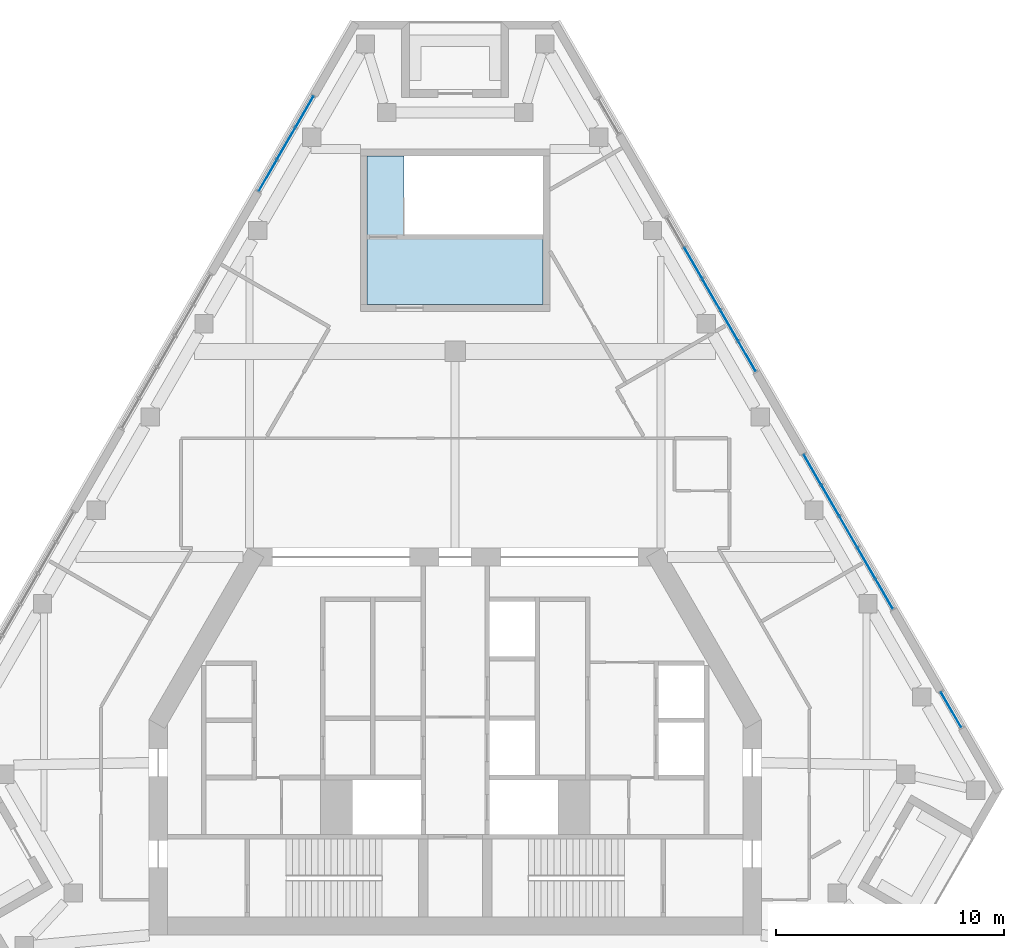
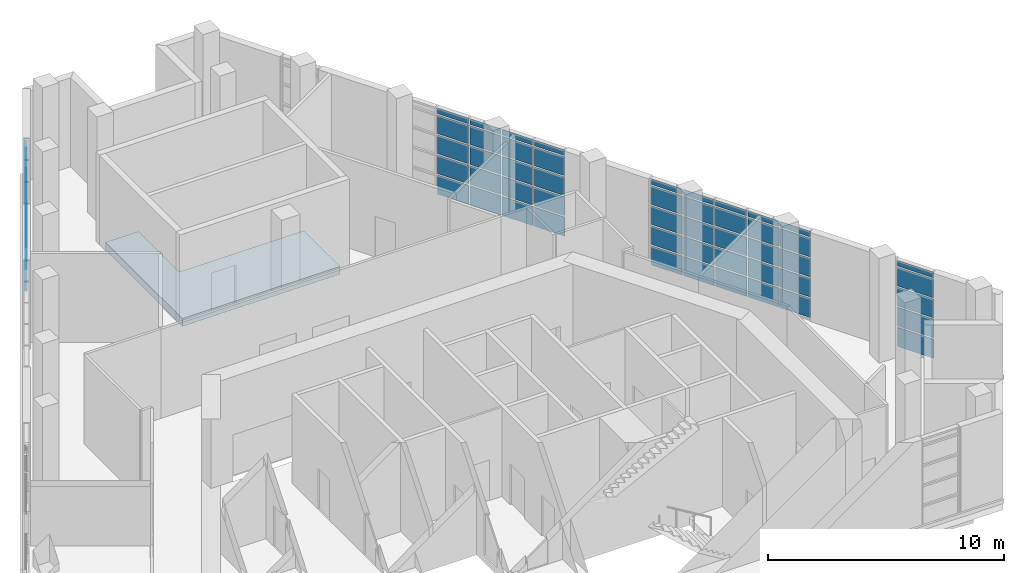
# One storey, part 8 of 13: 65 plates, 1 slab, 4 elements without a shape of their own.
"""IFC4 building model written with IfcOpenShell, lengths in metres."""

from ifc_helpers import new_model, si_unit, direction, frame, origin, origin_2d, place, context, subcontext, project, spatial, polyline, rectangle, outline, extrude, material, layer, layer_set, type_object, element, aggregate, save


model = new_model("IFC4")

# Units and contexts
model_context = context("Model", 3, precision=1e-05, world=origin(), true_north=direction((0.0, 1.0)))
body_context = subcontext(model_context, "Body", "Model", "MODEL_VIEW")
ifc_project = project(units=[si_unit("LENGTHUNIT", "METRE"), si_unit("AREAUNIT", "SQUARE_METRE"), si_unit("VOLUMEUNIT", "CUBIC_METRE"), si_unit("PLANEANGLEUNIT", "RADIAN"), si_unit("MASSUNIT", "GRAM", prefix="KILO")], contexts=[model_context])

# Site, building, storey
site_placement = place(None, origin())
site = spatial("IfcSite", under=ifc_project, at=site_placement, CompositionType="ELEMENT")
building_placement = place(site_placement, origin())
building = spatial("IfcBuilding", under=site, at=building_placement, Name="Fogline Exchange Tower", CompositionType="ELEMENT")
storey_placement = place(building_placement, frame((0.0, 0.0, 339.300048828125)))
storey = spatial("IfcBuildingStorey", under=building, at=storey_placement, Name="L77", CompositionType="ELEMENT", Elevation=339.300048828125)

# Curtain wall, plates
ifc_material_1 = material(Name="Aluminium and glass", Category="aluminium")
curtain_wall_type = type_object("IfcCurtainWallType", Name="CW5", PredefinedType="NOTDEFINED", material=ifc_material_1)
curtain_wall_1_placement = place(storey_placement, origin())
curtain_wall_1 = element("IfcCurtainWall", 1, at=curtain_wall_1_placement, inside=storey, type_object=curtain_wall_type, Name="CW5 L77 E run 1", PredefinedType="NOTDEFINED")
ifc_material_2 = material(Name="Glass", Category="glass")
ifc_layer_1 = layer(ifc_material_2, 0.033935546875)
ifc_layer_set_1 = layer_set([ifc_layer_1], Name="CW5-P")
plate_type = type_object("IfcPlateType", Name="CW5-P", PredefinedType="CURTAIN_PANEL", material=ifc_layer_set_1)
plate_1_placement = place(storey_placement, frame((21.707763671875, 11.31201171875, 0.080078125), z_axis=(0.0, 0.0, 1.0), x_axis=(-0.499999514416, 0.866025684137, 0.0)))
plate_1 = element("IfcPlate", 2, at=plate_1_placement, type_object=plate_type, Name="CW5-T25-02 panel 1.1", PredefinedType="CURTAIN_PANEL", context=body_context, shape_type="SweptSolid", body=[
    extrude(rectangle(XDim=1.7548828125, YDim=0.033935546875, at=origin_2d()), origin(), (0.0, 0.0, 1.0), 0.97998046875),
])
plate_2_placement = place(storey_placement, frame((21.707763671875, 11.31201171875, 1.14013671875), z_axis=(0.0, 0.0, 1.0), x_axis=(-0.499999514416, 0.866025684137, 0.0)))
plate_2 = element("IfcPlate", 3, at=plate_2_placement, type_object=plate_type, Name="CW5-T25-02 panel 1.2", PredefinedType="CURTAIN_PANEL", context=body_context, shape_type="SweptSolid", body=[
    extrude(rectangle(XDim=1.7548828125, YDim=0.033935546875, at=origin_2d()), origin(), (0.0, 0.0, 1.0), 0.953369140625),
])
plate_3_placement = place(storey_placement, frame((21.707763671875, 11.31201171875, 2.17333984375), z_axis=(0.0, 0.0, 1.0), x_axis=(-0.499999514416, 0.866025684137, 0.0)))
plate_3 = element("IfcPlate", 4, at=plate_3_placement, type_object=plate_type, Name="CW5-T25-02 panel 1.3", PredefinedType="CURTAIN_PANEL", context=body_context, shape_type="SweptSolid", body=[
    extrude(rectangle(XDim=1.7548828125, YDim=0.033935546875, at=origin_2d()), origin(), (0.0, 0.0, 1.0), 0.953369140625),
])
plate_4_placement = place(storey_placement, frame((21.707763671875, 11.31201171875, 3.20654296875), z_axis=(0.0, 0.0, 1.0), x_axis=(-0.499999514416, 0.866025684137, 0.0)))
plate_4 = element("IfcPlate", 5, at=plate_4_placement, type_object=plate_type, Name="CW5-T25-02 panel 1.4", PredefinedType="CURTAIN_PANEL", context=body_context, shape_type="SweptSolid", body=[
    extrude(rectangle(XDim=1.7548828125, YDim=0.033935546875, at=origin_2d()), origin(), (0.0, 0.0, 1.0), 0.953369140625),
])
plate_5_placement = place(storey_placement, frame((21.707763671875, 11.31201171875, 4.23974609375), z_axis=(0.0, 0.0, 1.0), x_axis=(-0.499999514416, 0.866025684137, 0.0)))
plate_5 = element("IfcPlate", 6, at=plate_5_placement, type_object=plate_type, Name="CW5-T25-02 panel 1.5", PredefinedType="CURTAIN_PANEL", context=body_context, shape_type="SweptSolid", body=[
    extrude(rectangle(XDim=1.7548828125, YDim=0.033935546875, at=origin_2d()), origin(), (0.0, 0.0, 1.0), 0.280029296875),
])
aggregate(curtain_wall_1, [plate_1, plate_2, plate_3, plate_4, plate_5])

curtain_wall_2_placement = place(storey_placement, origin())
curtain_wall_2 = element("IfcCurtainWall", 7, at=curtain_wall_2_placement, inside=storey, type_object=curtain_wall_type, Name="CW5 L77 E run 2", PredefinedType="NOTDEFINED")
plate_6_placement = place(storey_placement, frame((18.776611328125, 16.388671875, 0.080078125), z_axis=(0.0, 0.0, 1.0), x_axis=(-0.500000016959, 0.866025393993, 0.0)))
plate_6 = element("IfcPlate", 8, at=plate_6_placement, type_object=plate_type, Name="CW5-T25-03 panel 1.1", PredefinedType="CURTAIN_PANEL", context=body_context, shape_type="SweptSolid", body=[
    extrude(rectangle(XDim=1.4794921875, YDim=0.033935546875, at=origin_2d()), origin(), (0.0, 0.0, 1.0), 0.97998046875),
])
plate_7_placement = place(storey_placement, frame((18.776611328125, 16.388671875, 1.14013671875), z_axis=(0.0, 0.0, 1.0), x_axis=(-0.500000016959, 0.866025393993, 0.0)))
plate_7 = element("IfcPlate", 9, at=plate_7_placement, type_object=plate_type, Name="CW5-T25-03 panel 1.2", PredefinedType="CURTAIN_PANEL", context=body_context, shape_type="SweptSolid", body=[
    extrude(rectangle(XDim=1.4794921875, YDim=0.033935546875, at=origin_2d()), origin(), (0.0, 0.0, 1.0), 0.953369140625),
])
plate_8_placement = place(storey_placement, frame((18.776611328125, 16.388671875, 2.17333984375), z_axis=(0.0, 0.0, 1.0), x_axis=(-0.500000016959, 0.866025393993, 0.0)))
plate_8 = element("IfcPlate", 10, at=plate_8_placement, type_object=plate_type, Name="CW5-T25-03 panel 1.3", PredefinedType="CURTAIN_PANEL", context=body_context, shape_type="SweptSolid", body=[
    extrude(rectangle(XDim=1.4794921875, YDim=0.033935546875, at=origin_2d()), origin(), (0.0, 0.0, 1.0), 0.953369140625),
])
plate_9_placement = place(storey_placement, frame((18.776611328125, 16.388671875, 3.20654296875), z_axis=(0.0, 0.0, 1.0), x_axis=(-0.500000016959, 0.866025393993, 0.0)))
plate_9 = element("IfcPlate", 11, at=plate_9_placement, type_object=plate_type, Name="CW5-T25-03 panel 1.4", PredefinedType="CURTAIN_PANEL", context=body_context, shape_type="SweptSolid", body=[
    extrude(rectangle(XDim=1.4794921875, YDim=0.033935546875, at=origin_2d()), origin(), (0.0, 0.0, 1.0), 0.953369140625),
])
plate_10_placement = place(storey_placement, frame((18.776611328125, 16.388671875, 4.23974609375), z_axis=(0.0, 0.0, 1.0), x_axis=(-0.500000016959, 0.866025393993, 0.0)))
plate_10 = element("IfcPlate", 12, at=plate_10_placement, type_object=plate_type, Name="CW5-T25-03 panel 1.5", PredefinedType="CURTAIN_PANEL", context=body_context, shape_type="SweptSolid", body=[
    extrude(rectangle(XDim=1.4794921875, YDim=0.033935546875, at=origin_2d()), origin(), (0.0, 0.0, 1.0), 0.280029296875),
])
plate_11_placement = place(storey_placement, frame((17.996337890625, 17.740478515625, 0.080078125), z_axis=(0.0, 0.0, 1.0), x_axis=(-0.500000016959, 0.866025393993, 0.0)))
plate_11 = element("IfcPlate", 13, at=plate_11_placement, type_object=plate_type, Name="CW5-T25-03 panel 2.1", PredefinedType="CURTAIN_PANEL", context=body_context, shape_type="SweptSolid", body=[
    extrude(rectangle(XDim=1.511962890625, YDim=0.033935546875, at=origin_2d()), origin(), (0.0, 0.0, 1.0), 0.97998046875),
])
plate_12_placement = place(storey_placement, frame((17.996337890625, 17.740478515625, 1.14013671875), z_axis=(0.0, 0.0, 1.0), x_axis=(-0.500000016959, 0.866025393993, 0.0)))
plate_12 = element("IfcPlate", 14, at=plate_12_placement, type_object=plate_type, Name="CW5-T25-03 panel 2.2", PredefinedType="CURTAIN_PANEL", context=body_context, shape_type="SweptSolid", body=[
    extrude(rectangle(XDim=1.511962890625, YDim=0.033935546875, at=origin_2d()), origin(), (0.0, 0.0, 1.0), 0.953369140625),
])
plate_13_placement = place(storey_placement, frame((17.996337890625, 17.740478515625, 2.17333984375), z_axis=(0.0, 0.0, 1.0), x_axis=(-0.500000016959, 0.866025393993, 0.0)))
plate_13 = element("IfcPlate", 15, at=plate_13_placement, type_object=plate_type, Name="CW5-T25-03 panel 2.3", PredefinedType="CURTAIN_PANEL", context=body_context, shape_type="SweptSolid", body=[
    extrude(rectangle(XDim=1.511962890625, YDim=0.033935546875, at=origin_2d()), origin(), (0.0, 0.0, 1.0), 0.953369140625),
])
plate_14_placement = place(storey_placement, frame((17.996337890625, 17.740478515625, 3.20654296875), z_axis=(0.0, 0.0, 1.0), x_axis=(-0.500000016959, 0.866025393993, 0.0)))
plate_14 = element("IfcPlate", 16, at=plate_14_placement, type_object=plate_type, Name="CW5-T25-03 panel 2.4", PredefinedType="CURTAIN_PANEL", context=body_context, shape_type="SweptSolid", body=[
    extrude(rectangle(XDim=1.511962890625, YDim=0.033935546875, at=origin_2d()), origin(), (0.0, 0.0, 1.0), 0.953369140625),
])
plate_15_placement = place(storey_placement, frame((17.996337890625, 17.740478515625, 4.23974609375), z_axis=(0.0, 0.0, 1.0), x_axis=(-0.500000016959, 0.866025393993, 0.0)))
plate_15 = element("IfcPlate", 17, at=plate_15_placement, type_object=plate_type, Name="CW5-T25-03 panel 2.5", PredefinedType="CURTAIN_PANEL", context=body_context, shape_type="SweptSolid", body=[
    extrude(rectangle(XDim=1.511962890625, YDim=0.033935546875, at=origin_2d()), origin(), (0.0, 0.0, 1.0), 0.280029296875),
])
plate_16_placement = place(storey_placement, frame((17.207763671875, 19.106201171875, 0.080078125), z_axis=(0.0, 0.0, 1.0), x_axis=(-0.500000016959, 0.866025393993, 0.0)))
plate_16 = element("IfcPlate", 18, at=plate_16_placement, type_object=plate_type, Name="CW5-T25-03 panel 3.1", PredefinedType="CURTAIN_PANEL", context=body_context, shape_type="SweptSolid", body=[
    extrude(rectangle(XDim=1.511962890625, YDim=0.033935546875, at=origin_2d()), origin(), (0.0, 0.0, 1.0), 0.97998046875),
])
plate_17_placement = place(storey_placement, frame((17.207763671875, 19.106201171875, 1.14013671875), z_axis=(0.0, 0.0, 1.0), x_axis=(-0.500000016959, 0.866025393993, 0.0)))
plate_17 = element("IfcPlate", 19, at=plate_17_placement, type_object=plate_type, Name="CW5-T25-03 panel 3.2", PredefinedType="CURTAIN_PANEL", context=body_context, shape_type="SweptSolid", body=[
    extrude(rectangle(XDim=1.511962890625, YDim=0.033935546875, at=origin_2d()), origin(), (0.0, 0.0, 1.0), 0.953369140625),
])
plate_18_placement = place(storey_placement, frame((17.207763671875, 19.106201171875, 2.17333984375), z_axis=(0.0, 0.0, 1.0), x_axis=(-0.500000016959, 0.866025393993, 0.0)))
plate_18 = element("IfcPlate", 20, at=plate_18_placement, type_object=plate_type, Name="CW5-T25-03 panel 3.3", PredefinedType="CURTAIN_PANEL", context=body_context, shape_type="SweptSolid", body=[
    extrude(rectangle(XDim=1.511962890625, YDim=0.033935546875, at=origin_2d()), origin(), (0.0, 0.0, 1.0), 0.953369140625),
])
plate_19_placement = place(storey_placement, frame((17.207763671875, 19.106201171875, 3.20654296875), z_axis=(0.0, 0.0, 1.0), x_axis=(-0.500000016959, 0.866025393993, 0.0)))
plate_19 = element("IfcPlate", 21, at=plate_19_placement, type_object=plate_type, Name="CW5-T25-03 panel 3.4", PredefinedType="CURTAIN_PANEL", context=body_context, shape_type="SweptSolid", body=[
    extrude(rectangle(XDim=1.511962890625, YDim=0.033935546875, at=origin_2d()), origin(), (0.0, 0.0, 1.0), 0.953369140625),
])
plate_20_placement = place(storey_placement, frame((17.207763671875, 19.106201171875, 4.23974609375), z_axis=(0.0, 0.0, 1.0), x_axis=(-0.500000016959, 0.866025393993, 0.0)))
plate_20 = element("IfcPlate", 22, at=plate_20_placement, type_object=plate_type, Name="CW5-T25-03 panel 3.5", PredefinedType="CURTAIN_PANEL", context=body_context, shape_type="SweptSolid", body=[
    extrude(rectangle(XDim=1.511962890625, YDim=0.033935546875, at=origin_2d()), origin(), (0.0, 0.0, 1.0), 0.280029296875),
])
plate_21_placement = place(storey_placement, frame((16.419189453125, 20.471923828125, 0.080078125), z_axis=(0.0, 0.0, 1.0), x_axis=(-0.500000016959, 0.866025393993, 0.0)))
plate_21 = element("IfcPlate", 23, at=plate_21_placement, type_object=plate_type, Name="CW5-T25-03 panel 4.1", PredefinedType="CURTAIN_PANEL", context=body_context, shape_type="SweptSolid", body=[
    extrude(rectangle(XDim=1.511962890625, YDim=0.033935546875, at=origin_2d()), origin(), (0.0, 0.0, 1.0), 0.97998046875),
])
plate_22_placement = place(storey_placement, frame((16.419189453125, 20.471923828125, 1.14013671875), z_axis=(0.0, 0.0, 1.0), x_axis=(-0.500000016959, 0.866025393993, 0.0)))
plate_22 = element("IfcPlate", 24, at=plate_22_placement, type_object=plate_type, Name="CW5-T25-03 panel 4.2", PredefinedType="CURTAIN_PANEL", context=body_context, shape_type="SweptSolid", body=[
    extrude(rectangle(XDim=1.511962890625, YDim=0.033935546875, at=origin_2d()), origin(), (0.0, 0.0, 1.0), 0.953369140625),
])
plate_23_placement = place(storey_placement, frame((16.419189453125, 20.471923828125, 2.17333984375), z_axis=(0.0, 0.0, 1.0), x_axis=(-0.500000016959, 0.866025393993, 0.0)))
plate_23 = element("IfcPlate", 25, at=plate_23_placement, type_object=plate_type, Name="CW5-T25-03 panel 4.3", PredefinedType="CURTAIN_PANEL", context=body_context, shape_type="SweptSolid", body=[
    extrude(rectangle(XDim=1.511962890625, YDim=0.033935546875, at=origin_2d()), origin(), (0.0, 0.0, 1.0), 0.953369140625),
])
plate_24_placement = place(storey_placement, frame((16.419189453125, 20.471923828125, 3.20654296875), z_axis=(0.0, 0.0, 1.0), x_axis=(-0.500000016959, 0.866025393993, 0.0)))
plate_24 = element("IfcPlate", 26, at=plate_24_placement, type_object=plate_type, Name="CW5-T25-03 panel 4.4", PredefinedType="CURTAIN_PANEL", context=body_context, shape_type="SweptSolid", body=[
    extrude(rectangle(XDim=1.511962890625, YDim=0.033935546875, at=origin_2d()), origin(), (0.0, 0.0, 1.0), 0.953369140625),
])
plate_25_placement = place(storey_placement, frame((16.419189453125, 20.471923828125, 4.23974609375), z_axis=(0.0, 0.0, 1.0), x_axis=(-0.500000016959, 0.866025393993, 0.0)))
plate_25 = element("IfcPlate", 27, at=plate_25_placement, type_object=plate_type, Name="CW5-T25-03 panel 4.5", PredefinedType="CURTAIN_PANEL", context=body_context, shape_type="SweptSolid", body=[
    extrude(rectangle(XDim=1.511962890625, YDim=0.033935546875, at=origin_2d()), origin(), (0.0, 0.0, 1.0), 0.280029296875),
])
plate_26_placement = place(storey_placement, frame((15.638916015625, 21.823486328125, 0.080078125), z_axis=(0.0, 0.0, 1.0), x_axis=(-0.500000016959, 0.866025393993, 0.0)))
plate_26 = element("IfcPlate", 28, at=plate_26_placement, type_object=plate_type, Name="CW5-T25-03 panel 5.1", PredefinedType="CURTAIN_PANEL", context=body_context, shape_type="SweptSolid", body=[
    extrude(rectangle(XDim=1.4794921875, YDim=0.033935546875, at=origin_2d()), origin(), (0.0, 0.0, 1.0), 0.97998046875),
])
plate_27_placement = place(storey_placement, frame((15.638916015625, 21.823486328125, 1.14013671875), z_axis=(0.0, 0.0, 1.0), x_axis=(-0.500000016959, 0.866025393993, 0.0)))
plate_27 = element("IfcPlate", 29, at=plate_27_placement, type_object=plate_type, Name="CW5-T25-03 panel 5.2", PredefinedType="CURTAIN_PANEL", context=body_context, shape_type="SweptSolid", body=[
    extrude(rectangle(XDim=1.4794921875, YDim=0.033935546875, at=origin_2d()), origin(), (0.0, 0.0, 1.0), 0.953369140625),
])
plate_28_placement = place(storey_placement, frame((15.638916015625, 21.823486328125, 2.17333984375), z_axis=(0.0, 0.0, 1.0), x_axis=(-0.500000016959, 0.866025393993, 0.0)))
plate_28 = element("IfcPlate", 30, at=plate_28_placement, type_object=plate_type, Name="CW5-T25-03 panel 5.3", PredefinedType="CURTAIN_PANEL", context=body_context, shape_type="SweptSolid", body=[
    extrude(rectangle(XDim=1.4794921875, YDim=0.033935546875, at=origin_2d()), origin(), (0.0, 0.0, 1.0), 0.953369140625),
])
plate_29_placement = place(storey_placement, frame((15.638916015625, 21.823486328125, 3.20654296875), z_axis=(0.0, 0.0, 1.0), x_axis=(-0.500000016959, 0.866025393993, 0.0)))
plate_29 = element("IfcPlate", 31, at=plate_29_placement, type_object=plate_type, Name="CW5-T25-03 panel 5.4", PredefinedType="CURTAIN_PANEL", context=body_context, shape_type="SweptSolid", body=[
    extrude(rectangle(XDim=1.4794921875, YDim=0.033935546875, at=origin_2d()), origin(), (0.0, 0.0, 1.0), 0.953369140625),
])
plate_30_placement = place(storey_placement, frame((15.638916015625, 21.823486328125, 4.23974609375), z_axis=(0.0, 0.0, 1.0), x_axis=(-0.500000016959, 0.866025393993, 0.0)))
plate_30 = element("IfcPlate", 32, at=plate_30_placement, type_object=plate_type, Name="CW5-T25-03 panel 5.5", PredefinedType="CURTAIN_PANEL", context=body_context, shape_type="SweptSolid", body=[
    extrude(rectangle(XDim=1.4794921875, YDim=0.033935546875, at=origin_2d()), origin(), (0.0, 0.0, 1.0), 0.280029296875),
])
aggregate(curtain_wall_2, [plate_6, plate_7, plate_8, plate_9, plate_10, plate_11, plate_12, plate_13, plate_14, plate_15, plate_16, plate_17, plate_18, plate_19, plate_20, plate_21, plate_22, plate_23, plate_24, plate_25, plate_26, plate_27, plate_28, plate_29, plate_30])

curtain_wall_3_placement = place(storey_placement, origin())
curtain_wall_3 = element("IfcCurtainWall", 33, at=curtain_wall_3_placement, inside=storey, type_object=curtain_wall_type, Name="CW5 L77 E run 3", PredefinedType="NOTDEFINED")
plate_31_placement = place(storey_placement, frame((12.776611328125, 26.781005859375, 0.080078125), z_axis=(0.0, 0.0, 1.0), x_axis=(-0.500000016959, 0.866025393993, 0.0)))
plate_31 = element("IfcPlate", 34, at=plate_31_placement, type_object=plate_type, Name="CW5-T25-04 panel 1.1", PredefinedType="CURTAIN_PANEL", context=body_context, shape_type="SweptSolid", body=[
    extrude(rectangle(XDim=1.4794921875, YDim=0.033935546875, at=origin_2d()), origin(), (0.0, 0.0, 1.0), 0.97998046875),
])
plate_32_placement = place(storey_placement, frame((12.776611328125, 26.781005859375, 1.14013671875), z_axis=(0.0, 0.0, 1.0), x_axis=(-0.500000016959, 0.866025393993, 0.0)))
plate_32 = element("IfcPlate", 35, at=plate_32_placement, type_object=plate_type, Name="CW5-T25-04 panel 1.2", PredefinedType="CURTAIN_PANEL", context=body_context, shape_type="SweptSolid", body=[
    extrude(rectangle(XDim=1.4794921875, YDim=0.033935546875, at=origin_2d()), origin(), (0.0, 0.0, 1.0), 0.953369140625),
])
plate_33_placement = place(storey_placement, frame((12.776611328125, 26.781005859375, 2.17333984375), z_axis=(0.0, 0.0, 1.0), x_axis=(-0.500000016959, 0.866025393993, 0.0)))
plate_33 = element("IfcPlate", 36, at=plate_33_placement, type_object=plate_type, Name="CW5-T25-04 panel 1.3", PredefinedType="CURTAIN_PANEL", context=body_context, shape_type="SweptSolid", body=[
    extrude(rectangle(XDim=1.4794921875, YDim=0.033935546875, at=origin_2d()), origin(), (0.0, 0.0, 1.0), 0.953369140625),
])
plate_34_placement = place(storey_placement, frame((12.776611328125, 26.781005859375, 3.20654296875), z_axis=(0.0, 0.0, 1.0), x_axis=(-0.500000016959, 0.866025393993, 0.0)))
plate_34 = element("IfcPlate", 37, at=plate_34_placement, type_object=plate_type, Name="CW5-T25-04 panel 1.4", PredefinedType="CURTAIN_PANEL", context=body_context, shape_type="SweptSolid", body=[
    extrude(rectangle(XDim=1.4794921875, YDim=0.033935546875, at=origin_2d()), origin(), (0.0, 0.0, 1.0), 0.953369140625),
])
plate_35_placement = place(storey_placement, frame((12.776611328125, 26.781005859375, 4.23974609375), z_axis=(0.0, 0.0, 1.0), x_axis=(-0.500000016959, 0.866025393993, 0.0)))
plate_35 = element("IfcPlate", 38, at=plate_35_placement, type_object=plate_type, Name="CW5-T25-04 panel 1.5", PredefinedType="CURTAIN_PANEL", context=body_context, shape_type="SweptSolid", body=[
    extrude(rectangle(XDim=1.4794921875, YDim=0.033935546875, at=origin_2d()), origin(), (0.0, 0.0, 1.0), 0.280029296875),
])
plate_36_placement = place(storey_placement, frame((11.996337890625, 28.1328125, 0.080078125), z_axis=(0.0, 0.0, 1.0), x_axis=(-0.500000016959, 0.866025393993, 0.0)))
plate_36 = element("IfcPlate", 39, at=plate_36_placement, type_object=plate_type, Name="CW5-T25-04 panel 2.1", PredefinedType="CURTAIN_PANEL", context=body_context, shape_type="SweptSolid", body=[
    extrude(rectangle(XDim=1.511962890625, YDim=0.033935546875, at=origin_2d()), origin(), (0.0, 0.0, 1.0), 0.97998046875),
])
plate_37_placement = place(storey_placement, frame((11.996337890625, 28.1328125, 1.14013671875), z_axis=(0.0, 0.0, 1.0), x_axis=(-0.500000016959, 0.866025393993, 0.0)))
plate_37 = element("IfcPlate", 40, at=plate_37_placement, type_object=plate_type, Name="CW5-T25-04 panel 2.2", PredefinedType="CURTAIN_PANEL", context=body_context, shape_type="SweptSolid", body=[
    extrude(rectangle(XDim=1.511962890625, YDim=0.033935546875, at=origin_2d()), origin(), (0.0, 0.0, 1.0), 0.953369140625),
])
plate_38_placement = place(storey_placement, frame((11.996337890625, 28.1328125, 2.17333984375), z_axis=(0.0, 0.0, 1.0), x_axis=(-0.500000016959, 0.866025393993, 0.0)))
plate_38 = element("IfcPlate", 41, at=plate_38_placement, type_object=plate_type, Name="CW5-T25-04 panel 2.3", PredefinedType="CURTAIN_PANEL", context=body_context, shape_type="SweptSolid", body=[
    extrude(rectangle(XDim=1.511962890625, YDim=0.033935546875, at=origin_2d()), origin(), (0.0, 0.0, 1.0), 0.953369140625),
])
plate_39_placement = place(storey_placement, frame((11.996337890625, 28.1328125, 3.20654296875), z_axis=(0.0, 0.0, 1.0), x_axis=(-0.500000016959, 0.866025393993, 0.0)))
plate_39 = element("IfcPlate", 42, at=plate_39_placement, type_object=plate_type, Name="CW5-T25-04 panel 2.4", PredefinedType="CURTAIN_PANEL", context=body_context, shape_type="SweptSolid", body=[
    extrude(rectangle(XDim=1.511962890625, YDim=0.033935546875, at=origin_2d()), origin(), (0.0, 0.0, 1.0), 0.953369140625),
])
plate_40_placement = place(storey_placement, frame((11.996337890625, 28.1328125, 4.23974609375), z_axis=(0.0, 0.0, 1.0), x_axis=(-0.500000016959, 0.866025393993, 0.0)))
plate_40 = element("IfcPlate", 43, at=plate_40_placement, type_object=plate_type, Name="CW5-T25-04 panel 2.5", PredefinedType="CURTAIN_PANEL", context=body_context, shape_type="SweptSolid", body=[
    extrude(rectangle(XDim=1.511962890625, YDim=0.033935546875, at=origin_2d()), origin(), (0.0, 0.0, 1.0), 0.280029296875),
])
plate_41_placement = place(storey_placement, frame((11.207763671875, 29.49853515625, 0.080078125), z_axis=(0.0, 0.0, 1.0), x_axis=(-0.500000016959, 0.866025393993, 0.0)))
plate_41 = element("IfcPlate", 44, at=plate_41_placement, type_object=plate_type, Name="CW5-T25-04 panel 3.1", PredefinedType="CURTAIN_PANEL", context=body_context, shape_type="SweptSolid", body=[
    extrude(rectangle(XDim=1.511962890625, YDim=0.033935546875, at=origin_2d()), origin(), (0.0, 0.0, 1.0), 0.97998046875),
])
plate_42_placement = place(storey_placement, frame((11.207763671875, 29.49853515625, 1.14013671875), z_axis=(0.0, 0.0, 1.0), x_axis=(-0.500000016959, 0.866025393993, 0.0)))
plate_42 = element("IfcPlate", 45, at=plate_42_placement, type_object=plate_type, Name="CW5-T25-04 panel 3.2", PredefinedType="CURTAIN_PANEL", context=body_context, shape_type="SweptSolid", body=[
    extrude(rectangle(XDim=1.511962890625, YDim=0.033935546875, at=origin_2d()), origin(), (0.0, 0.0, 1.0), 0.953369140625),
])
plate_43_placement = place(storey_placement, frame((11.207763671875, 29.49853515625, 2.17333984375), z_axis=(0.0, 0.0, 1.0), x_axis=(-0.500000016959, 0.866025393993, 0.0)))
plate_43 = element("IfcPlate", 46, at=plate_43_placement, type_object=plate_type, Name="CW5-T25-04 panel 3.3", PredefinedType="CURTAIN_PANEL", context=body_context, shape_type="SweptSolid", body=[
    extrude(rectangle(XDim=1.511962890625, YDim=0.033935546875, at=origin_2d()), origin(), (0.0, 0.0, 1.0), 0.953369140625),
])
plate_44_placement = place(storey_placement, frame((11.207763671875, 29.49853515625, 3.20654296875), z_axis=(0.0, 0.0, 1.0), x_axis=(-0.500000016959, 0.866025393993, 0.0)))
plate_44 = element("IfcPlate", 47, at=plate_44_placement, type_object=plate_type, Name="CW5-T25-04 panel 3.4", PredefinedType="CURTAIN_PANEL", context=body_context, shape_type="SweptSolid", body=[
    extrude(rectangle(XDim=1.511962890625, YDim=0.033935546875, at=origin_2d()), origin(), (0.0, 0.0, 1.0), 0.953369140625),
])
plate_45_placement = place(storey_placement, frame((11.207763671875, 29.49853515625, 4.23974609375), z_axis=(0.0, 0.0, 1.0), x_axis=(-0.500000016959, 0.866025393993, 0.0)))
plate_45 = element("IfcPlate", 48, at=plate_45_placement, type_object=plate_type, Name="CW5-T25-04 panel 3.5", PredefinedType="CURTAIN_PANEL", context=body_context, shape_type="SweptSolid", body=[
    extrude(rectangle(XDim=1.511962890625, YDim=0.033935546875, at=origin_2d()), origin(), (0.0, 0.0, 1.0), 0.280029296875),
])
plate_46_placement = place(storey_placement, frame((10.419189453125, 30.8642578125, 0.080078125), z_axis=(0.0, 0.0, 1.0), x_axis=(-0.500000016959, 0.866025393993, 0.0)))
plate_46 = element("IfcPlate", 49, at=plate_46_placement, type_object=plate_type, Name="CW5-T25-04 panel 4.1", PredefinedType="CURTAIN_PANEL", context=body_context, shape_type="SweptSolid", body=[
    extrude(rectangle(XDim=1.511962890625, YDim=0.033935546875, at=origin_2d()), origin(), (0.0, 0.0, 1.0), 0.97998046875),
])
plate_47_placement = place(storey_placement, frame((10.419189453125, 30.8642578125, 1.14013671875), z_axis=(0.0, 0.0, 1.0), x_axis=(-0.500000016959, 0.866025393993, 0.0)))
plate_47 = element("IfcPlate", 50, at=plate_47_placement, type_object=plate_type, Name="CW5-T25-04 panel 4.2", PredefinedType="CURTAIN_PANEL", context=body_context, shape_type="SweptSolid", body=[
    extrude(rectangle(XDim=1.511962890625, YDim=0.033935546875, at=origin_2d()), origin(), (0.0, 0.0, 1.0), 0.953369140625),
])
plate_48_placement = place(storey_placement, frame((10.419189453125, 30.8642578125, 2.17333984375), z_axis=(0.0, 0.0, 1.0), x_axis=(-0.500000016959, 0.866025393993, 0.0)))
plate_48 = element("IfcPlate", 51, at=plate_48_placement, type_object=plate_type, Name="CW5-T25-04 panel 4.3", PredefinedType="CURTAIN_PANEL", context=body_context, shape_type="SweptSolid", body=[
    extrude(rectangle(XDim=1.511962890625, YDim=0.033935546875, at=origin_2d()), origin(), (0.0, 0.0, 1.0), 0.953369140625),
])
plate_49_placement = place(storey_placement, frame((10.419189453125, 30.8642578125, 3.20654296875), z_axis=(0.0, 0.0, 1.0), x_axis=(-0.500000016959, 0.866025393993, 0.0)))
plate_49 = element("IfcPlate", 52, at=plate_49_placement, type_object=plate_type, Name="CW5-T25-04 panel 4.4", PredefinedType="CURTAIN_PANEL", context=body_context, shape_type="SweptSolid", body=[
    extrude(rectangle(XDim=1.511962890625, YDim=0.033935546875, at=origin_2d()), origin(), (0.0, 0.0, 1.0), 0.953369140625),
])
plate_50_placement = place(storey_placement, frame((10.419189453125, 30.8642578125, 4.23974609375), z_axis=(0.0, 0.0, 1.0), x_axis=(-0.500000016959, 0.866025393993, 0.0)))
plate_50 = element("IfcPlate", 53, at=plate_50_placement, type_object=plate_type, Name="CW5-T25-04 panel 4.5", PredefinedType="CURTAIN_PANEL", context=body_context, shape_type="SweptSolid", body=[
    extrude(rectangle(XDim=1.511962890625, YDim=0.033935546875, at=origin_2d()), origin(), (0.0, 0.0, 1.0), 0.280029296875),
])
aggregate(curtain_wall_3, [plate_31, plate_32, plate_33, plate_34, plate_35, plate_36, plate_37, plate_38, plate_39, plate_40, plate_41, plate_42, plate_43, plate_44, plate_45, plate_46, plate_47, plate_48, plate_49, plate_50])

curtain_wall_4_placement = place(storey_placement, origin())
curtain_wall_4 = element("IfcCurtainWall", 54, at=curtain_wall_4_placement, inside=storey, type_object=curtain_wall_type, Name="CW5 L77 W run 1", PredefinedType="NOTDEFINED")
plate_51_placement = place(storey_placement, frame((-6.59423828125, 37.4892578125, 0.080078125), z_axis=(0.0, 0.0, 1.0), x_axis=(-0.500000363213, -0.866025194083, 0.0)))
plate_51 = element("IfcPlate", 55, at=plate_51_placement, type_object=plate_type, Name="CW5-T25-06 panel 1.1", PredefinedType="CURTAIN_PANEL", context=body_context, shape_type="SweptSolid", body=[
    extrude(rectangle(XDim=1.53076171875, YDim=0.033935546875, at=origin_2d()), origin(), (0.0, 0.0, 1.0), 0.97998046875),
])
plate_52_placement = place(storey_placement, frame((-6.59423828125, 37.4892578125, 1.14013671875), z_axis=(0.0, 0.0, 1.0), x_axis=(-0.500000363213, -0.866025194083, 0.0)))
plate_52 = element("IfcPlate", 56, at=plate_52_placement, type_object=plate_type, Name="CW5-T25-06 panel 1.2", PredefinedType="CURTAIN_PANEL", context=body_context, shape_type="SweptSolid", body=[
    extrude(rectangle(XDim=1.53076171875, YDim=0.033935546875, at=origin_2d()), origin(), (0.0, 0.0, 1.0), 0.953369140625),
])
plate_53_placement = place(storey_placement, frame((-6.59423828125, 37.4892578125, 2.17333984375), z_axis=(0.0, 0.0, 1.0), x_axis=(-0.500000363213, -0.866025194083, 0.0)))
plate_53 = element("IfcPlate", 57, at=plate_53_placement, type_object=plate_type, Name="CW5-T25-06 panel 1.3", PredefinedType="CURTAIN_PANEL", context=body_context, shape_type="SweptSolid", body=[
    extrude(rectangle(XDim=1.53076171875, YDim=0.033935546875, at=origin_2d()), origin(), (0.0, 0.0, 1.0), 0.953369140625),
])
plate_54_placement = place(storey_placement, frame((-6.59423828125, 37.4892578125, 3.20654296875), z_axis=(0.0, 0.0, 1.0), x_axis=(-0.500000363213, -0.866025194083, 0.0)))
plate_54 = element("IfcPlate", 58, at=plate_54_placement, type_object=plate_type, Name="CW5-T25-06 panel 1.4", PredefinedType="CURTAIN_PANEL", context=body_context, shape_type="SweptSolid", body=[
    extrude(rectangle(XDim=1.53076171875, YDim=0.033935546875, at=origin_2d()), origin(), (0.0, 0.0, 1.0), 0.953369140625),
])
plate_55_placement = place(storey_placement, frame((-6.59423828125, 37.4892578125, 4.23974609375), z_axis=(0.0, 0.0, 1.0), x_axis=(-0.500000363213, -0.866025194083, 0.0)))
plate_55 = element("IfcPlate", 59, at=plate_55_placement, type_object=plate_type, Name="CW5-T25-06 panel 1.5", PredefinedType="CURTAIN_PANEL", context=body_context, shape_type="SweptSolid", body=[
    extrude(rectangle(XDim=1.53076171875, YDim=0.033935546875, at=origin_2d()), origin(), (0.0, 0.0, 1.0), 0.280029296875),
])
plate_56_placement = place(storey_placement, frame((-7.400390625, 36.09326171875, 0.080078125), z_axis=(0.0, 0.0, 1.0), x_axis=(-0.500000363213, -0.866025194083, 0.0)))
plate_56 = element("IfcPlate", 60, at=plate_56_placement, type_object=plate_type, Name="CW5-T25-06 panel 2.1", PredefinedType="CURTAIN_PANEL", context=body_context, shape_type="SweptSolid", body=[
    extrude(rectangle(XDim=1.563232421875, YDim=0.033935546875, at=origin_2d()), origin(), (0.0, 0.0, 1.0), 0.97998046875),
])
plate_57_placement = place(storey_placement, frame((-7.400390625, 36.09326171875, 1.14013671875), z_axis=(0.0, 0.0, 1.0), x_axis=(-0.500000363213, -0.866025194083, 0.0)))
plate_57 = element("IfcPlate", 61, at=plate_57_placement, type_object=plate_type, Name="CW5-T25-06 panel 2.2", PredefinedType="CURTAIN_PANEL", context=body_context, shape_type="SweptSolid", body=[
    extrude(rectangle(XDim=1.563232421875, YDim=0.033935546875, at=origin_2d()), origin(), (0.0, 0.0, 1.0), 0.953369140625),
])
plate_58_placement = place(storey_placement, frame((-7.400390625, 36.09326171875, 2.17333984375), z_axis=(0.0, 0.0, 1.0), x_axis=(-0.500000363213, -0.866025194083, 0.0)))
plate_58 = element("IfcPlate", 62, at=plate_58_placement, type_object=plate_type, Name="CW5-T25-06 panel 2.3", PredefinedType="CURTAIN_PANEL", context=body_context, shape_type="SweptSolid", body=[
    extrude(rectangle(XDim=1.563232421875, YDim=0.033935546875, at=origin_2d()), origin(), (0.0, 0.0, 1.0), 0.953369140625),
])
plate_59_placement = place(storey_placement, frame((-7.400390625, 36.09326171875, 3.20654296875), z_axis=(0.0, 0.0, 1.0), x_axis=(-0.500000363213, -0.866025194083, 0.0)))
plate_59 = element("IfcPlate", 63, at=plate_59_placement, type_object=plate_type, Name="CW5-T25-06 panel 2.4", PredefinedType="CURTAIN_PANEL", context=body_context, shape_type="SweptSolid", body=[
    extrude(rectangle(XDim=1.563232421875, YDim=0.033935546875, at=origin_2d()), origin(), (0.0, 0.0, 1.0), 0.953369140625),
])
plate_60_placement = place(storey_placement, frame((-7.400390625, 36.09326171875, 4.23974609375), z_axis=(0.0, 0.0, 1.0), x_axis=(-0.500000363213, -0.866025194083, 0.0)))
plate_60 = element("IfcPlate", 64, at=plate_60_placement, type_object=plate_type, Name="CW5-T25-06 panel 2.5", PredefinedType="CURTAIN_PANEL", context=body_context, shape_type="SweptSolid", body=[
    extrude(rectangle(XDim=1.563232421875, YDim=0.033935546875, at=origin_2d()), origin(), (0.0, 0.0, 1.0), 0.280029296875),
])
plate_61_placement = place(storey_placement, frame((-8.206298828125, 34.697021484375, 0.080078125), z_axis=(0.0, 0.0, 1.0), x_axis=(-0.500000363213, -0.866025194083, 0.0)))
plate_61 = element("IfcPlate", 65, at=plate_61_placement, type_object=plate_type, Name="CW5-T25-06 panel 3.1", PredefinedType="CURTAIN_PANEL", context=body_context, shape_type="SweptSolid", body=[
    extrude(rectangle(XDim=1.53076171875, YDim=0.033935546875, at=origin_2d()), origin(), (0.0, 0.0, 1.0), 0.97998046875),
])
plate_62_placement = place(storey_placement, frame((-8.206298828125, 34.697021484375, 1.14013671875), z_axis=(0.0, 0.0, 1.0), x_axis=(-0.500000363213, -0.866025194083, 0.0)))
plate_62 = element("IfcPlate", 66, at=plate_62_placement, type_object=plate_type, Name="CW5-T25-06 panel 3.2", PredefinedType="CURTAIN_PANEL", context=body_context, shape_type="SweptSolid", body=[
    extrude(rectangle(XDim=1.53076171875, YDim=0.033935546875, at=origin_2d()), origin(), (0.0, 0.0, 1.0), 0.953369140625),
])
plate_63_placement = place(storey_placement, frame((-8.206298828125, 34.697021484375, 2.17333984375), z_axis=(0.0, 0.0, 1.0), x_axis=(-0.500000363213, -0.866025194083, 0.0)))
plate_63 = element("IfcPlate", 67, at=plate_63_placement, type_object=plate_type, Name="CW5-T25-06 panel 3.3", PredefinedType="CURTAIN_PANEL", context=body_context, shape_type="SweptSolid", body=[
    extrude(rectangle(XDim=1.53076171875, YDim=0.033935546875, at=origin_2d()), origin(), (0.0, 0.0, 1.0), 0.953369140625),
])
plate_64_placement = place(storey_placement, frame((-8.206298828125, 34.697021484375, 3.20654296875), z_axis=(0.0, 0.0, 1.0), x_axis=(-0.500000363213, -0.866025194083, 0.0)))
plate_64 = element("IfcPlate", 68, at=plate_64_placement, type_object=plate_type, Name="CW5-T25-06 panel 3.4", PredefinedType="CURTAIN_PANEL", context=body_context, shape_type="SweptSolid", body=[
    extrude(rectangle(XDim=1.53076171875, YDim=0.033935546875, at=origin_2d()), origin(), (0.0, 0.0, 1.0), 0.953369140625),
])
plate_65_placement = place(storey_placement, frame((-8.206298828125, 34.697021484375, 4.23974609375), z_axis=(0.0, 0.0, 1.0), x_axis=(-0.500000363213, -0.866025194083, 0.0)))
plate_65 = element("IfcPlate", 69, at=plate_65_placement, type_object=plate_type, Name="CW5-T25-06 panel 3.5", PredefinedType="CURTAIN_PANEL", context=body_context, shape_type="SweptSolid", body=[
    extrude(rectangle(XDim=1.53076171875, YDim=0.033935546875, at=origin_2d()), origin(), (0.0, 0.0, 1.0), 0.280029296875),
])
aggregate(curtain_wall_4, [plate_51, plate_52, plate_53, plate_54, plate_55, plate_56, plate_57, plate_58, plate_59, plate_60, plate_61, plate_62, plate_63, plate_64, plate_65])

# Slab
ifc_material_3 = material(Name="Concrete C40", Category="concrete")
ifc_layer_2 = layer(ifc_material_3, 0.39990234375)
ifc_layer_set_2 = layer_set([ifc_layer_2], Name="S03")
slab_type = type_object("IfcSlabType", Name="S03", PredefinedType="FLOOR", material=ifc_layer_set_2)
slab_placement = place(storey_placement, frame((0.0, 0.0, -0.400146484375)))
element("IfcSlab", 70, at=slab_placement, inside=storey, type_object=slab_type, Name="Stair enclosure floor slab", PredefinedType="FLOOR", context=body_context, shape_type="SweptSolid", body=[
    extrude(outline(polyline([(3.85009765625, 29.056884765625), (-3.85009765625, 29.056884765625), (-3.85009765625, 35.556884765625), (-2.239990234375, 35.556884765625), (-2.239990234375, 32.10693359375), (3.85009765625, 32.10693359375), (3.85009765625, 29.056884765625)])), origin(), (0.0, 0.0, 1.0), 0.400146484375),
])

save(model, "model.ifc")
